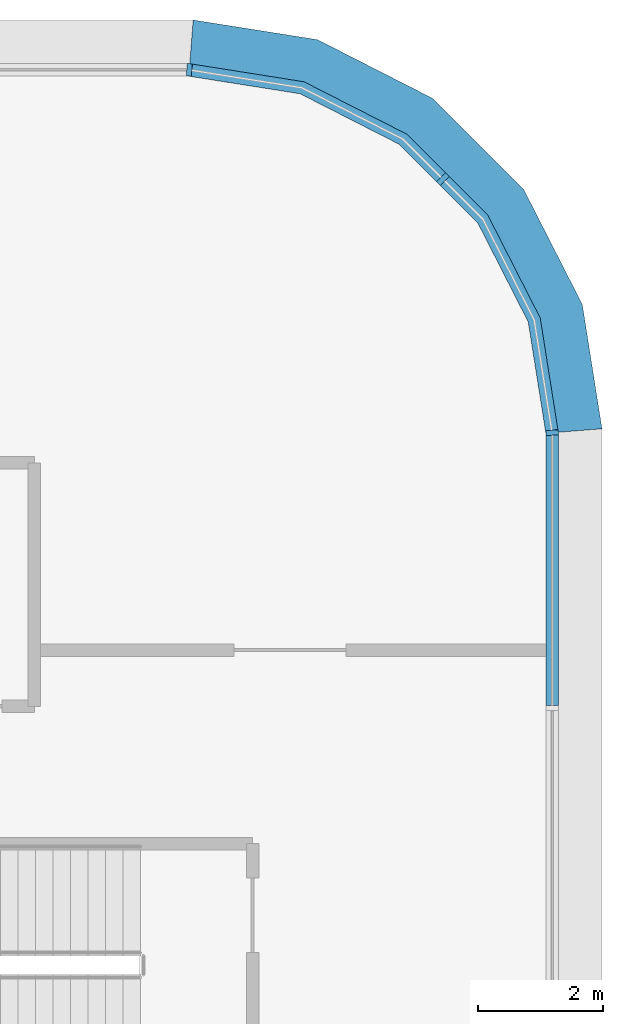
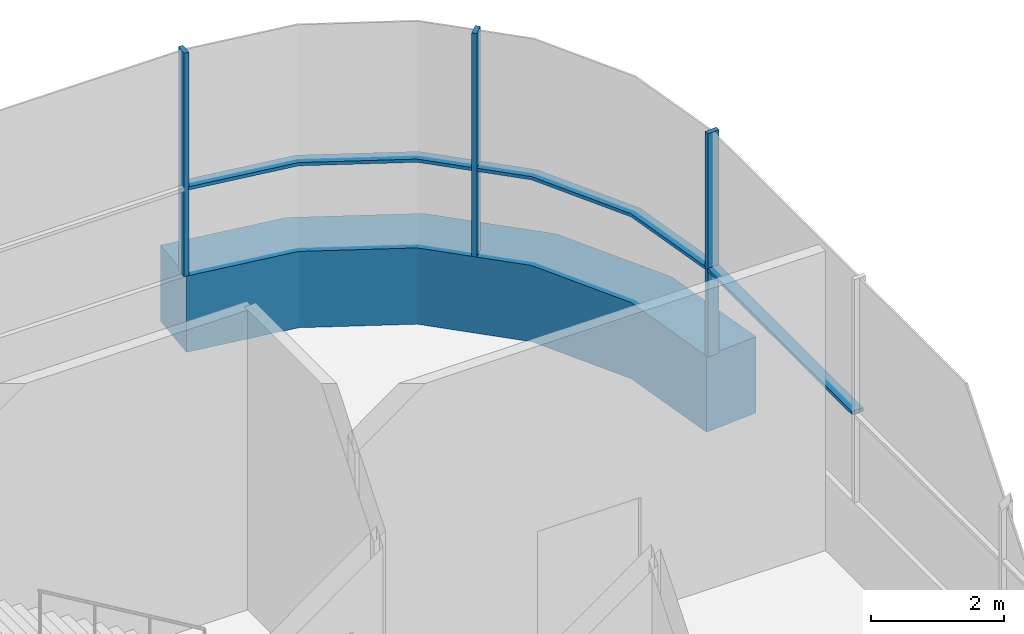
# One storey, part 22 of 52: 7 members, 3 elements without a shape of their own.
"""IFC4 building model written with IfcOpenShell, lengths in metres."""

from ifc_helpers import new_model, si_unit, direction, frame, origin, origin_2d, place, context, subcontext, project, spatial, polyline, rectangle, outline, extrude, material, layer, layer_set, material_profile, profile_set, type_object, element, aggregate, save


model = new_model("IFC4")

# Units and contexts
model_context = context("Model", 3, precision=1e-05, world=origin(), true_north=direction((0.0, 1.0)))
body_context = subcontext(model_context, "Body", "Model", "MODEL_VIEW")
ifc_project = project(units=[si_unit("LENGTHUNIT", "METRE"), si_unit("AREAUNIT", "SQUARE_METRE"), si_unit("VOLUMEUNIT", "CUBIC_METRE"), si_unit("PLANEANGLEUNIT", "RADIAN"), si_unit("MASSUNIT", "GRAM", prefix="KILO")], contexts=[model_context])

# Site, building, storey
site_placement = place(None, origin())
site = spatial("IfcSite", under=ifc_project, at=site_placement, CompositionType="ELEMENT")
building_placement = place(site_placement, origin())
building = spatial("IfcBuilding", under=site, at=building_placement, Name="Tamarind Cross Interchange Tower", CompositionType="ELEMENT")
storey_placement = place(building_placement, frame((0.0, 0.0, 9.0)))
storey = spatial("IfcBuildingStorey", under=building, at=storey_placement, Name="L01", CompositionType="ELEMENT", Elevation=9.0)

# Curtain wall, members
ifc_material_1 = material(Name="Aluminium 6063-T6", Category="aluminium")
ifc_layer = layer(ifc_material_1, 0.199951171875)
ifc_layer_set = layer_set([ifc_layer], Name="Aluminium 6063-T6")
curtain_wall_type = type_object("IfcCurtainWallType", Name="Podium shopfront and station curtain wall", PredefinedType="NOTDEFINED", material=ifc_layer_set)
curtain_wall_1_placement = place(storey_placement, origin())
curtain_wall_1 = element("IfcCurtainWall", 1, at=curtain_wall_1_placement, inside=storey, type_object=curtain_wall_type, Name="CWS-L01-01", PredefinedType="NOTDEFINED")
ifc_material_2 = material(Name="Aluminium and insulated spandrel panel", Category="aluminium")
member_type_1 = type_object("IfcMemberType", Name="Floor-edge blade transom", PredefinedType="USERDEFINED", material=ifc_material_2)
member_1_placement = place(storey_placement, origin())
member_1 = element("IfcMember", 2, at=member_1_placement, type_object=member_type_1, Name="CWT-L01-01", ObjectType="TRANSOM", PredefinedType="USERDEFINED", context=body_context, shape_type="SweptSolid", body=[
    extrude(outline(polyline([(67.699951171875, 52.976318359375), (67.41748046875, 54.76025390625), (66.6083984375, 56.34814453125), (65.34814453125, 57.6083984375), (63.76025390625, 58.41748046875), (61.976318359375, 58.699951171875), (62.047119140625, 59.60009765625), (64.041748046875, 59.2841796875), (65.8837890625, 58.345458984375), (67.345458984375, 56.8837890625), (68.2841796875, 55.041748046875), (68.60009765625, 53.047119140625), (67.699951171875, 52.976318359375)])), origin(), (0.0, 0.0, 1.0), 1.39990234375),
])
ifc_material_profile = material_profile(ifc_material_1, rectangle(XDim=0.080078125, YDim=0.199951171875, at=origin_2d()), Name="Mullion CW3")
ifc_profile_set = profile_set([ifc_material_profile], Name="Aluminium 6063-T6")
member_type_2 = type_object("IfcMemberType", Name="Mullion CW3", PredefinedType="MULLION", material=ifc_profile_set)
member_2_placement = place(storey_placement, frame((67.800048828125, 52.984375, 1.39990234375), z_axis=(0.0, 0.0, 1.0), x_axis=(-0.078459095728, 0.996917333733, 0.0)))
member_2 = element("IfcMember", 3, at=member_2_placement, type_object=member_type_2, Name="CWM-L01-01-00", PredefinedType="MULLION", context=body_context, shape_type="SweptSolid", body=[
    extrude(rectangle(XDim=0.080078125, YDim=0.199951171875, at=origin_2d()), origin(), (0.0, 0.0, 1.0), 4.10009765625),
])
member_3_placement = place(storey_placement, frame((66.049072265625, 57.049072265625, 1.39990234375), z_axis=(0.0, 0.0, 1.0), x_axis=(-0.707106781187, 0.707106781187, 0.0)))
member_3 = element("IfcMember", 4, at=member_3_placement, type_object=member_type_2, Name="CWM-L01-01-01", PredefinedType="MULLION", context=body_context, shape_type="SweptSolid", body=[
    extrude(rectangle(XDim=0.080078125, YDim=0.199951171875, at=origin_2d()), origin(), (0.0, 0.0, 1.0), 4.10009765625),
])

# Curtain wall, member
curtain_wall_2_placement = place(storey_placement, origin())
curtain_wall_2 = element("IfcCurtainWall", 5, at=curtain_wall_2_placement, inside=storey, type_object=curtain_wall_type, Name="CWS-L01-02", PredefinedType="NOTDEFINED")
member_4_placement = place(storey_placement, frame((61.984375, 58.800048828125, 1.39990234375), z_axis=(0.0, 0.0, 1.0), x_axis=(-0.996917333733, 0.078459095728, 0.0)))
member_4 = element("IfcMember", 6, at=member_4_placement, type_object=member_type_2, Name="CWM-L01-02-00", PredefinedType="MULLION", context=body_context, shape_type="SweptSolid", body=[
    extrude(rectangle(XDim=0.080078125, YDim=0.199951171875, at=origin_2d()), origin(), (0.0, 0.0, 1.0), 4.10009765625),
])
aggregate(curtain_wall_2, [member_4])

curtain_wall_3_placement = place(storey_placement, origin())
curtain_wall_3 = element("IfcCurtainWall", 7, at=curtain_wall_3_placement, inside=storey, type_object=curtain_wall_type, Name="CWS-L01-00", PredefinedType="NOTDEFINED")
member_type_3 = type_object("IfcMemberType", Name="Podium intermediate transom", PredefinedType="USERDEFINED", material=ifc_material_1)
member_5_placement = place(storey_placement, frame((0.0, 0.0, 2.969970703125)))
member_5 = element("IfcMember", 8, at=member_5_placement, type_object=member_type_3, Name="CWT-L01-00-I0-23", ObjectType="TRANSOM", PredefinedType="USERDEFINED", context=body_context, shape_type="SweptSolid", body=[
    extrude(outline(polyline([(67.699951171875, 48.60888671875), (67.699951171875, 52.9443359375), (67.89990234375, 52.9443359375), (67.89990234375, 48.60888671875), (67.699951171875, 48.60888671875)])), origin(), (0.0, 0.0, 1.0), 0.06005859375),
])
aggregate(curtain_wall_3, [member_5])

# Member
member_6_placement = place(storey_placement, frame((0.0, 0.0, 2.969970703125)))
member_6 = element("IfcMember", 9, at=member_6_placement, type_object=member_type_3, Name="CWT-L01-01-I0-00", ObjectType="TRANSOM", PredefinedType="USERDEFINED", context=body_context, shape_type="SweptSolid", body=[
    extrude(outline(polyline([(67.695068359375, 53.008056640625), (67.41748046875, 54.76025390625), (66.6083984375, 56.34814453125), (66.006591796875, 56.949951171875), (66.14794921875, 57.09130859375), (66.772216796875, 56.46728515625), (67.610107421875, 54.82275390625), (67.892578125, 53.039306640625), (67.695068359375, 53.008056640625)])), origin(), (0.0, 0.0, 1.0), 0.06005859375),
])

member_7_placement = place(storey_placement, frame((0.0, 0.0, 2.969970703125)))
member_7 = element("IfcMember", 10, at=member_7_placement, type_object=member_type_3, Name="CWT-L01-01-I0-01", ObjectType="TRANSOM", PredefinedType="USERDEFINED", context=body_context, shape_type="SweptSolid", body=[
    extrude(outline(polyline([(65.949951171875, 57.006591796875), (65.34814453125, 57.6083984375), (63.76025390625, 58.41748046875), (62.008056640625, 58.695068359375), (62.039306640625, 58.892578125), (63.82275390625, 58.610107421875), (65.46728515625, 57.772216796875), (66.09130859375, 57.14794921875), (65.949951171875, 57.006591796875)])), origin(), (0.0, 0.0, 1.0), 0.06005859375),
])

aggregate(curtain_wall_1, [member_2, member_3, member_6, member_7, member_1])

save(model, "model.ifc")
